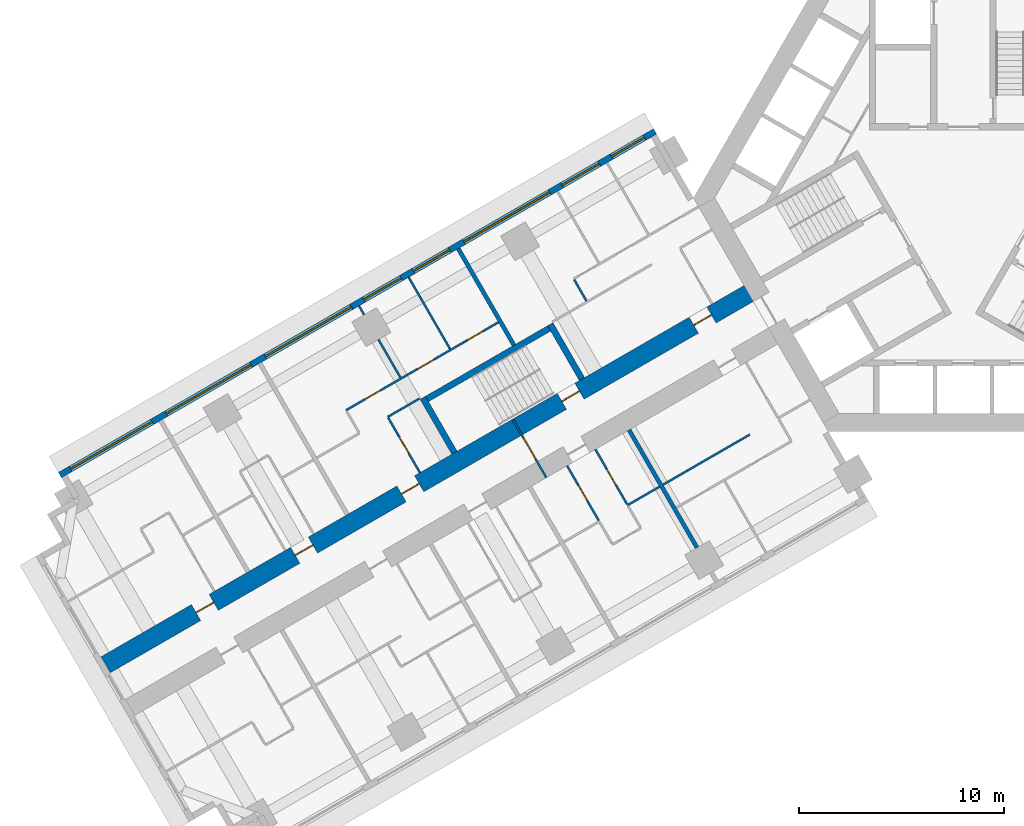
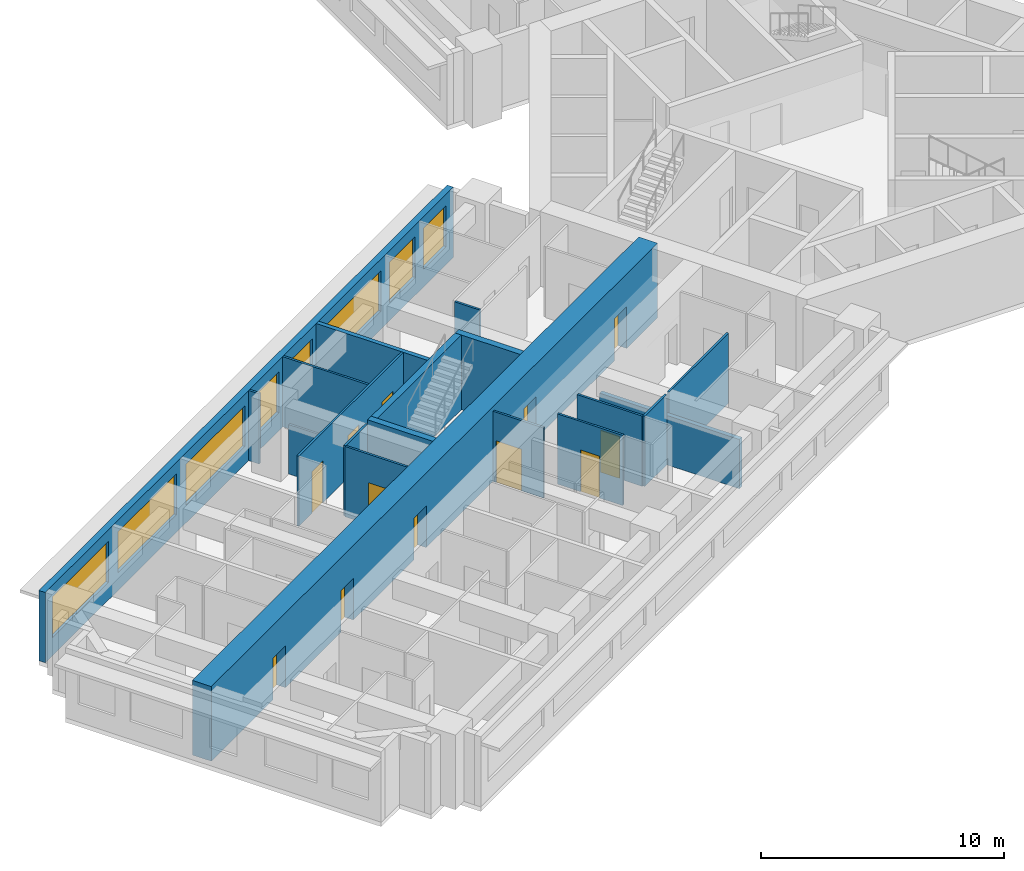
# One storey, part 5 of 16: 19 walls, 12 doors, 8 windows, 20 openings.
"""IFC4 building model written with IfcOpenShell, lengths in metres."""

from ifc_helpers import new_model, si_unit, direction, frame, frame_2d, origin, place, context, subcontext, project, spatial, rectangle, extrude, material, layer, layer_set, type_object, element, fill, save


model = new_model("IFC4")

# Units and contexts
model_context = context("Model", 3, precision=1e-05, world=origin(), true_north=direction((0.0, 1.0)))
body_context = subcontext(model_context, "Body", "Model", "MODEL_VIEW")
ifc_project = project(units=[si_unit("LENGTHUNIT", "METRE"), si_unit("AREAUNIT", "SQUARE_METRE"), si_unit("VOLUMEUNIT", "CUBIC_METRE"), si_unit("PLANEANGLEUNIT", "RADIAN"), si_unit("MASSUNIT", "GRAM", prefix="KILO")], contexts=[model_context])

# Site, building, storey
site_placement = place(None, origin())
site = spatial("IfcSite", under=ifc_project, at=site_placement, CompositionType="ELEMENT")
building_placement = place(site_placement, origin())
building = spatial("IfcBuilding", under=site, at=building_placement, Name="Impinga Residences", CompositionType="ELEMENT")
storey_placement = place(building_placement, frame((0.0, 0.0, 63.5)))
storey = spatial("IfcBuildingStorey", under=building, at=storey_placement, Name="L15", CompositionType="ELEMENT", Elevation=63.5)

# Wall, openings, doors
ifc_material_1 = material(Name="Concrete C70/85", Category="concrete")
ifc_layer_1 = layer(ifc_material_1, 0.89990234375)
ifc_layer_set_1 = layer_set([ifc_layer_1], Name="Concrete C70/85")
wall_type_1 = type_object("IfcWallType", Name="BW1 corridor buttress wall, L05 to L22 900", PredefinedType="SHEAR", material=ifc_layer_set_1)
wall_1_placement = place(storey_placement, frame((-10.1103515625, -4.451416015625, 0.0), z_axis=(0.0, 0.0, 1.0), x_axis=(-0.866025284237, -0.500000207062, 0.0)))
wall_1 = element("IfcWall", 1, at=wall_1_placement, inside=storey, type_object=wall_type_1, Name="Corridor wall BW1 WD L15", PredefinedType="SHEAR", context=body_context, shape_type="SweptSolid", body=[
    extrude(rectangle(XDim=36.75, YDim=0.89990234375, at=frame_2d((18.375, 0.0))), origin(), (0.0, 0.0, 1.0), 3.75),
])
opening_1_placement = place(wall_1_placement, frame((10.0, 0.0, 0.0)))
opening_1 = element("IfcOpeningElement", 2, at=opening_1_placement, cuts=wall_1, Name="Opening D5", PredefinedType="OPENING", context=body_context, shape_type="SweptSolid", body=[
    extrude(rectangle(XDim=1.0, YDim=2.10009765625, at=frame_2d((0.5, 1.050048828125))), frame((0.0, 0.4599609375, 0.0), z_axis=(0.0, -1.0, 0.0), x_axis=(1.0, 0.0, 0.0)), (0.0, 0.0, 1.0), 0.919921875),
])
opening_2_placement = place(wall_1_placement, frame((2.550048828125, 0.0, 0.0)))
opening_2 = element("IfcOpeningElement", 3, at=opening_2_placement, cuts=wall_1, Name="Opening D1", PredefinedType="OPENING", context=body_context, shape_type="SweptSolid", body=[
    extrude(rectangle(XDim=1.0, YDim=2.10009765625, at=frame_2d((0.5, 1.050048828125))), frame((0.0, 0.4599609375, 0.0), z_axis=(0.0, -1.0, 0.0), x_axis=(1.0, 0.0, 0.0)), (0.0, 0.0, 1.0), 0.919921875),
])
opening_3_placement = place(wall_1_placement, frame((19.050048828125, 0.0, 0.0)))
opening_3 = element("IfcOpeningElement", 4, at=opening_3_placement, cuts=wall_1, Name="Opening D1", PredefinedType="OPENING", context=body_context, shape_type="SweptSolid", body=[
    extrude(rectangle(XDim=1.0, YDim=2.10009765625, at=frame_2d((0.5, 1.050048828125))), frame((0.0, 0.4599609375, 0.0), z_axis=(0.0, -1.0, 0.0), x_axis=(1.0, 0.0, 0.0)), (0.0, 0.0, 1.0), 0.919921875),
])
opening_4_placement = place(wall_1_placement, frame((25.050048828125, 0.0, 0.0)))
opening_4 = element("IfcOpeningElement", 5, at=opening_4_placement, cuts=wall_1, Name="Opening D1", PredefinedType="OPENING", context=body_context, shape_type="SweptSolid", body=[
    extrude(rectangle(XDim=1.0, YDim=2.10009765625, at=frame_2d((0.5, 1.050048828125))), frame((0.0, 0.4599609375, 0.0), z_axis=(0.0, -1.0, 0.0), x_axis=(1.0, 0.0, 0.0)), (0.0, 0.0, 1.0), 0.919921875),
])
opening_5_placement = place(wall_1_placement, frame((30.64990234375, 0.0, 0.0)))
opening_5 = element("IfcOpeningElement", 6, at=opening_5_placement, cuts=wall_1, Name="Opening D1", PredefinedType="OPENING", context=body_context, shape_type="SweptSolid", body=[
    extrude(rectangle(XDim=1.0, YDim=2.10009765625, at=frame_2d((0.5, 1.050048828125))), frame((0.0, 0.4599609375, 0.0), z_axis=(0.0, -1.0, 0.0), x_axis=(1.0, 0.0, 0.0)), (0.0, 0.0, 1.0), 0.919921875),
])
ifc_material_2 = material(Name="Timber door set", Category="wood")
door_type_1 = type_object("IfcDoorType", Name="D1 apartment entrance door 1000x2100", OperationType="SINGLE_SWING_LEFT", PredefinedType="DOOR", material=ifc_material_2)
door_1_placement = place(opening_2_placement, origin())
door_1 = element("IfcDoor", 7, at=door_1_placement, inside=storey, type_object=door_type_1, Name="Apartment L15-WF1 entrance", OperationType="SINGLE_SWING_LEFT", OverallHeight=2.10009765625, OverallWidth=1.0, PredefinedType="DOOR", context=body_context, shape_type="SweptSolid", body=[
    extrude(rectangle(XDim=1.0, YDim=2.10009765625, at=frame_2d((0.5, 1.050048828125))), frame((0.0, 0.02490234375, 0.0), z_axis=(0.0, -1.0, 0.0), x_axis=(1.0, 0.0, 0.0)), (0.0, 0.0, 1.0), 0.050048828125),
])
fill(opening_2, door_1)
door_2_placement = place(opening_3_placement, origin())
door_2 = element("IfcDoor", 8, at=door_2_placement, inside=storey, type_object=door_type_1, Name="Apartment L15-WF2 entrance", OperationType="SINGLE_SWING_RIGHT", OverallHeight=2.10009765625, OverallWidth=1.0, PredefinedType="DOOR", context=body_context, shape_type="SweptSolid", body=[
    extrude(rectangle(XDim=1.0, YDim=2.10009765625, at=frame_2d((0.5, 1.050048828125))), frame((0.0, 0.02490234375, 0.0), z_axis=(0.0, -1.0, 0.0), x_axis=(1.0, 0.0, 0.0)), (0.0, 0.0, 1.0), 0.050048828125),
])
fill(opening_3, door_2)
door_3_placement = place(opening_4_placement, origin())
door_3 = element("IfcDoor", 9, at=door_3_placement, inside=storey, type_object=door_type_1, Name="Apartment L15-WF3 entrance", OperationType="SINGLE_SWING_RIGHT", OverallHeight=2.10009765625, OverallWidth=1.0, PredefinedType="DOOR", context=body_context, shape_type="SweptSolid", body=[
    extrude(rectangle(XDim=1.0, YDim=2.10009765625, at=frame_2d((0.5, 1.050048828125))), frame((0.0, 0.02490234375, 0.0), z_axis=(0.0, -1.0, 0.0), x_axis=(1.0, 0.0, 0.0)), (0.0, 0.0, 1.0), 0.050048828125),
])
fill(opening_4, door_3)
door_4_placement = place(opening_5_placement, origin())
door_4 = element("IfcDoor", 10, at=door_4_placement, inside=storey, type_object=door_type_1, Name="Apartment L15-WF4 entrance", OperationType="SINGLE_SWING_RIGHT", OverallHeight=2.10009765625, OverallWidth=1.0, PredefinedType="DOOR", context=body_context, shape_type="SweptSolid", body=[
    extrude(rectangle(XDim=1.0, YDim=2.10009765625, at=frame_2d((0.5, 1.050048828125))), frame((0.0, 0.02490234375, 0.0), z_axis=(0.0, -1.0, 0.0), x_axis=(1.0, 0.0, 0.0)), (0.0, 0.0, 1.0), 0.050048828125),
])
fill(opening_5, door_4)
door_type_2 = type_object("IfcDoorType", Name="D5 stair door 1000x2100", OperationType="SINGLE_SWING_LEFT", PredefinedType="DOOR", material=ifc_material_2)
door_5_placement = place(opening_1_placement, origin())
door_5 = element("IfcDoor", 11, at=door_5_placement, inside=storey, type_object=door_type_2, Name="Wing stair door W", OperationType="SINGLE_SWING_LEFT", OverallHeight=2.10009765625, OverallWidth=1.0, PredefinedType="DOOR", context=body_context, shape_type="SweptSolid", body=[
    extrude(rectangle(XDim=1.0, YDim=2.10009765625, at=frame_2d((0.5, 1.050048828125))), frame((0.0, 0.02490234375, 0.0), z_axis=(0.0, -1.0, 0.0), x_axis=(1.0, 0.0, 0.0)), (0.0, 0.0, 1.0), 0.050048828125),
])
fill(opening_1, door_5)

# Wall, opening, door
ifc_material_3 = material(Name="Concrete blockwork", Category="masonry")
ifc_layer_2 = layer(ifc_material_3, 0.10009765625)
ifc_layer_set_2 = layer_set([ifc_layer_2], Name="CP1 core room partition, blockwork 100")
wall_type_2 = type_object("IfcWallType", Name="CP1 core room partition, blockwork 100", PredefinedType="PARTITIONING", material=ifc_layer_set_2)
wall_2_placement = place(storey_placement, frame((-20.392578125, -13.678955078125, 0.0), z_axis=(0.0, 0.0, 1.0), x_axis=(-0.50002983664, 0.866008176907, 0.0)))
wall_2 = element("IfcWall", 12, at=wall_2_placement, inside=storey, type_object=wall_type_2, Name="Core room partition, blockwork L15:W:SCR", PredefinedType="PARTITIONING", context=body_context, shape_type="SweptSolid", body=[
    extrude(rectangle(XDim=3.300048828125, YDim=0.10009765625, at=frame_2d((1.64990234375, 0.0))), origin(), (0.0, 0.0, 1.0), 3.530029296875),
])
opening_6_placement = place(wall_2_placement, frame((1.050048828125, 0.0, 0.0)))
opening_6 = element("IfcOpeningElement", 13, at=opening_6_placement, cuts=wall_2, Name="Opening D3", PredefinedType="OPENING", context=body_context, shape_type="SweptSolid", body=[
    extrude(rectangle(XDim=1.199951171875, YDim=2.10009765625, at=frame_2d((0.60009765625, 1.050048828125))), frame((0.0, 0.06005859375, 0.0), z_axis=(0.0, -1.0, 0.0), x_axis=(1.0, 0.0, 0.0)), (0.0, 0.0, 1.0), 0.1201171875),
])
door_type_3 = type_object("IfcDoorType", Name="D3 room door, leaf and a half 1200x2100", OperationType="DOUBLE_SWING_LEFT", PredefinedType="DOOR", material=ifc_material_2)
door_6_placement = place(opening_6_placement, origin())
door_6 = element("IfcDoor", 14, at=door_6_placement, inside=storey, type_object=door_type_3, Name="Corridor smoke door W", OperationType="DOUBLE_SWING_LEFT", OverallHeight=2.10009765625, OverallWidth=1.199951171875, PredefinedType="DOOR", context=body_context, shape_type="SweptSolid", body=[
    extrude(rectangle(XDim=1.199951171875, YDim=2.10009765625, at=frame_2d((0.60009765625, 1.050048828125))), frame((0.0, 0.02490234375, 0.0), z_axis=(0.0, -1.0, 0.0), x_axis=(1.0, 0.0, 0.0)), (0.0, 0.0, 1.0), 0.050048828125),
])
fill(opening_6, door_6)

# Wall, openings, windows
ifc_material_4 = material(Name="Terracotta rainscreen on blockwork", Category="masonry")
ifc_layer_3 = layer(ifc_material_4, 0.300048828125)
ifc_layer_set_3 = layer_set([ifc_layer_3], Name="EW1 external wall, terracotta rainscreen on blockwork 300")
wall_type_3 = type_object("IfcWallType", Name="EW1 external wall, terracotta rainscreen on blockwork 300", PredefinedType="SOLIDWALL", material=ifc_layer_set_3)
wall_3_placement = place(storey_placement, frame((-44.17333984375, -13.552490234375, 0.0), z_axis=(0.0, 0.0, 1.0), x_axis=(0.866024291668, 0.500001926238, 0.0)))
wall_3 = element("IfcWall", 15, at=wall_3_placement, inside=storey, type_object=wall_type_3, Name="External wall EW1 L15", PredefinedType="SOLIDWALL", context=body_context, shape_type="SweptSolid", body=[
    extrude(rectangle(XDim=33.599853515625, YDim=0.300048828125, at=frame_2d((16.7998046875, 0.0))), origin(), (0.0, 0.0, 1.0), 3.530029296875),
])
opening_7_placement = place(wall_3_placement, frame((0.60009765625, 0.0, 0.89990234375)))
opening_7 = element("IfcOpeningElement", 16, at=opening_7_placement, cuts=wall_3, Name="Opening W3", PredefinedType="OPENING", context=body_context, shape_type="SweptSolid", body=[
    extrude(rectangle(XDim=4.60009765625, YDim=2.050048828125, at=frame_2d((2.300048828125, 1.02490234375))), frame((0.0, 0.159912109375, 0.0), z_axis=(0.0, -1.0, 0.0), x_axis=(1.0, 0.0, 0.0)), (0.0, 0.0, 1.0), 0.320068359375),
])
opening_8_placement = place(wall_3_placement, frame((6.0, 0.0, 0.89990234375)))
opening_8 = element("IfcOpeningElement", 17, at=opening_8_placement, cuts=wall_3, Name="Opening W8", PredefinedType="OPENING", context=body_context, shape_type="SweptSolid", body=[
    extrude(rectangle(XDim=4.800048828125, YDim=2.050048828125, at=frame_2d((2.39990234375, 1.02490234375))), frame((0.0, 0.159912109375, 0.0), z_axis=(0.0, -1.0, 0.0), x_axis=(1.0, 0.0, 0.0)), (0.0, 0.0, 1.0), 0.320068359375),
])
opening_9_placement = place(wall_3_placement, frame((11.60009765625, 0.0, 0.89990234375)))
opening_9 = element("IfcOpeningElement", 18, at=opening_9_placement, cuts=wall_3, Name="Opening W6", PredefinedType="OPENING", context=body_context, shape_type="SweptSolid", body=[
    extrude(rectangle(XDim=4.85009765625, YDim=2.050048828125, at=frame_2d((2.425048828125, 1.02490234375))), frame((0.0, 0.159912109375, 0.0), z_axis=(0.0, -1.0, 0.0), x_axis=(1.0, 0.0, 0.0)), (0.0, 0.0, 1.0), 0.320068359375),
])
opening_10_placement = place(wall_3_placement, frame((17.14990234375, 0.0, 0.89990234375)))
opening_10 = element("IfcOpeningElement", 19, at=opening_10_placement, cuts=wall_3, Name="Opening W9", PredefinedType="OPENING", context=body_context, shape_type="SweptSolid", body=[
    extrude(rectangle(XDim=2.10009765625, YDim=2.050048828125, at=frame_2d((1.050048828125, 1.02490234375))), frame((0.0, 0.159912109375, 0.0), z_axis=(0.0, -1.0, 0.0), x_axis=(1.0, 0.0, 0.0)), (0.0, 0.0, 1.0), 0.320068359375),
])
opening_11_placement = place(wall_3_placement, frame((19.949951171875, 0.0, 0.89990234375)))
opening_11 = element("IfcOpeningElement", 20, at=opening_11_placement, cuts=wall_3, Name="Opening W14", PredefinedType="OPENING", context=body_context, shape_type="SweptSolid", body=[
    extrude(rectangle(XDim=2.050048828125, YDim=2.050048828125, at=frame_2d((1.02490234375, 1.02490234375))), frame((0.0, 0.159912109375, 0.0), z_axis=(0.0, -1.0, 0.0), x_axis=(1.0, 0.0, 0.0)), (0.0, 0.0, 1.0), 0.320068359375),
])
opening_12_placement = place(wall_3_placement, frame((22.800048828125, 0.0, 0.89990234375)))
opening_12 = element("IfcOpeningElement", 21, at=opening_12_placement, cuts=wall_3, Name="Opening W6", PredefinedType="OPENING", context=body_context, shape_type="SweptSolid", body=[
    extrude(rectangle(XDim=4.85009765625, YDim=2.050048828125, at=frame_2d((2.425048828125, 1.02490234375))), frame((0.0, 0.159912109375, 0.0), z_axis=(0.0, -1.0, 0.0), x_axis=(1.0, 0.0, 0.0)), (0.0, 0.0, 1.0), 0.320068359375),
])
opening_13_placement = place(wall_3_placement, frame((28.35009765625, 0.0, 0.89990234375)))
opening_13 = element("IfcOpeningElement", 22, at=opening_13_placement, cuts=wall_3, Name="Opening W9", PredefinedType="OPENING", context=body_context, shape_type="SweptSolid", body=[
    extrude(rectangle(XDim=2.10009765625, YDim=2.050048828125, at=frame_2d((1.050048828125, 1.02490234375))), frame((0.0, 0.159912109375, 0.0), z_axis=(0.0, -1.0, 0.0), x_axis=(1.0, 0.0, 0.0)), (0.0, 0.0, 1.0), 0.320068359375),
])
opening_14_placement = place(wall_3_placement, frame((31.14990234375, 0.0, 0.89990234375)))
opening_14 = element("IfcOpeningElement", 23, at=opening_14_placement, cuts=wall_3, Name="Opening W15", PredefinedType="OPENING", context=body_context, shape_type="SweptSolid", body=[
    extrude(rectangle(XDim=1.85009765625, YDim=2.050048828125, at=frame_2d((0.925048828125, 1.02490234375))), frame((0.0, 0.159912109375, 0.0), z_axis=(0.0, -1.0, 0.0), x_axis=(1.0, 0.0, 0.0)), (0.0, 0.0, 1.0), 0.320068359375),
])
ifc_material_5 = material(Name="Aluminium window, clear double glazing", Category="aluminium")
window_type_1 = type_object("IfcWindowType", Name="W14 ribbon window 2050x2050", PartitioningType="SINGLE_PANEL", PredefinedType="WINDOW", material=ifc_material_5)
window_1_placement = place(opening_11_placement, origin())
window_1 = element("IfcWindow", 24, at=window_1_placement, inside=storey, type_object=window_type_1, Name="Window L15", OverallHeight=2.050048828125, OverallWidth=2.050048828125, PartitioningType="SINGLE_PANEL", PredefinedType="WINDOW", context=body_context, shape_type="SweptSolid", body=[
    extrude(rectangle(XDim=2.050048828125, YDim=2.050048828125, at=frame_2d((1.02490234375, 1.02490234375))), frame((0.0, 0.030029296875, 0.0), z_axis=(0.0, -1.0, 0.0), x_axis=(1.0, 0.0, 0.0)), (0.0, 0.0, 1.0), 0.06005859375),
])
fill(opening_11, window_1)
window_type_2 = type_object("IfcWindowType", Name="W15 ribbon window 1850x2050", PartitioningType="SINGLE_PANEL", PredefinedType="WINDOW", material=ifc_material_5)
window_2_placement = place(opening_14_placement, origin())
window_2 = element("IfcWindow", 25, at=window_2_placement, inside=storey, type_object=window_type_2, Name="Window L15", OverallHeight=2.050048828125, OverallWidth=1.85009765625, PartitioningType="SINGLE_PANEL", PredefinedType="WINDOW", context=body_context, shape_type="SweptSolid", body=[
    extrude(rectangle(XDim=1.85009765625, YDim=2.050048828125, at=frame_2d((0.925048828125, 1.02490234375))), frame((0.0, 0.030029296875, 0.0), z_axis=(0.0, -1.0, 0.0), x_axis=(1.0, 0.0, 0.0)), (0.0, 0.0, 1.0), 0.06005859375),
])
fill(opening_14, window_2)
window_type_3 = type_object("IfcWindowType", Name="W3 ribbon window 4600x2050", PartitioningType="SINGLE_PANEL", PredefinedType="WINDOW", material=ifc_material_5)
window_3_placement = place(opening_7_placement, origin())
window_3 = element("IfcWindow", 26, at=window_3_placement, inside=storey, type_object=window_type_3, Name="Window L15", OverallHeight=2.050048828125, OverallWidth=4.60009765625, PartitioningType="SINGLE_PANEL", PredefinedType="WINDOW", context=body_context, shape_type="SweptSolid", body=[
    extrude(rectangle(XDim=4.60009765625, YDim=2.050048828125, at=frame_2d((2.300048828125, 1.02490234375))), frame((0.0, 0.030029296875, 0.0), z_axis=(0.0, -1.0, 0.0), x_axis=(1.0, 0.0, 0.0)), (0.0, 0.0, 1.0), 0.06005859375),
])
fill(opening_7, window_3)
window_type_4 = type_object("IfcWindowType", Name="W6 ribbon window 4850x2050", PartitioningType="SINGLE_PANEL", PredefinedType="WINDOW", material=ifc_material_5)
window_4_placement = place(opening_9_placement, origin())
window_4 = element("IfcWindow", 27, at=window_4_placement, inside=storey, type_object=window_type_4, Name="Window L15", OverallHeight=2.050048828125, OverallWidth=4.85009765625, PartitioningType="SINGLE_PANEL", PredefinedType="WINDOW", context=body_context, shape_type="SweptSolid", body=[
    extrude(rectangle(XDim=4.85009765625, YDim=2.050048828125, at=frame_2d((2.425048828125, 1.02490234375))), frame((0.0, 0.030029296875, 0.0), z_axis=(0.0, -1.0, 0.0), x_axis=(1.0, 0.0, 0.0)), (0.0, 0.0, 1.0), 0.06005859375),
])
fill(opening_9, window_4)
window_5_placement = place(opening_12_placement, origin())
window_5 = element("IfcWindow", 28, at=window_5_placement, inside=storey, type_object=window_type_4, Name="Window L15", OverallHeight=2.050048828125, OverallWidth=4.85009765625, PartitioningType="SINGLE_PANEL", PredefinedType="WINDOW", context=body_context, shape_type="SweptSolid", body=[
    extrude(rectangle(XDim=4.85009765625, YDim=2.050048828125, at=frame_2d((2.425048828125, 1.02490234375))), frame((0.0, 0.030029296875, 0.0), z_axis=(0.0, -1.0, 0.0), x_axis=(1.0, 0.0, 0.0)), (0.0, 0.0, 1.0), 0.06005859375),
])
fill(opening_12, window_5)
window_type_5 = type_object("IfcWindowType", Name="W8 ribbon window 4800x2050", PartitioningType="SINGLE_PANEL", PredefinedType="WINDOW", material=ifc_material_5)
window_6_placement = place(opening_8_placement, origin())
window_6 = element("IfcWindow", 29, at=window_6_placement, inside=storey, type_object=window_type_5, Name="Window L15", OverallHeight=2.050048828125, OverallWidth=4.800048828125, PartitioningType="SINGLE_PANEL", PredefinedType="WINDOW", context=body_context, shape_type="SweptSolid", body=[
    extrude(rectangle(XDim=4.800048828125, YDim=2.050048828125, at=frame_2d((2.39990234375, 1.02490234375))), frame((0.0, 0.030029296875, 0.0), z_axis=(0.0, -1.0, 0.0), x_axis=(1.0, 0.0, 0.0)), (0.0, 0.0, 1.0), 0.06005859375),
])
fill(opening_8, window_6)
window_type_6 = type_object("IfcWindowType", Name="W9 ribbon window 2100x2050", PartitioningType="SINGLE_PANEL", PredefinedType="WINDOW", material=ifc_material_5)
window_7_placement = place(opening_10_placement, origin())
window_7 = element("IfcWindow", 30, at=window_7_placement, inside=storey, type_object=window_type_6, Name="Window L15", OverallHeight=2.050048828125, OverallWidth=2.10009765625, PartitioningType="SINGLE_PANEL", PredefinedType="WINDOW", context=body_context, shape_type="SweptSolid", body=[
    extrude(rectangle(XDim=2.10009765625, YDim=2.050048828125, at=frame_2d((1.050048828125, 1.02490234375))), frame((0.0, 0.030029296875, 0.0), z_axis=(0.0, -1.0, 0.0), x_axis=(1.0, 0.0, 0.0)), (0.0, 0.0, 1.0), 0.06005859375),
])
fill(opening_10, window_7)
window_8_placement = place(opening_13_placement, origin())
window_8 = element("IfcWindow", 31, at=window_8_placement, inside=storey, type_object=window_type_6, Name="Window L15", OverallHeight=2.050048828125, OverallWidth=2.10009765625, PartitioningType="SINGLE_PANEL", PredefinedType="WINDOW", context=body_context, shape_type="SweptSolid", body=[
    extrude(rectangle(XDim=2.10009765625, YDim=2.050048828125, at=frame_2d((1.050048828125, 1.02490234375))), frame((0.0, 0.030029296875, 0.0), z_axis=(0.0, -1.0, 0.0), x_axis=(1.0, 0.0, 0.0)), (0.0, 0.0, 1.0), 0.06005859375),
])
fill(opening_13, window_8)

# Walls
ifc_material_6 = material(Name="Gypsum board on steel studs", Category="steel")
ifc_layer_4 = layer(ifc_material_6, 0.10009765625)
ifc_layer_set_4 = layer_set([ifc_layer_4], Name="Gypsum board on steel studs")
wall_type_4 = type_object("IfcWallType", Name="IP1 partition 100", PredefinedType="PARTITIONING", material=ifc_layer_set_4)
wall_4_placement = place(storey_placement, frame((-10.444580078125, -11.57275390625, 0.0), z_axis=(0.0, 0.0, 1.0), x_axis=(-0.866023786258, -0.500002801628, 0.0)))
element("IfcWall", 32, at=wall_4_placement, inside=storey, type_object=wall_type_4, Name="Partition L15-WA1:DIV1", PredefinedType="PARTITIONING", context=body_context, shape_type="SweptSolid", body=[
    extrude(rectangle(XDim=4.89990234375, YDim=0.10009765625, at=frame_2d((2.449951171875, 0.0))), origin(), (0.0, 0.0, 1.0), 3.530029296875),
])
wall_5_placement = place(storey_placement, frame((-14.861328125, -14.122802734375, 0.0), z_axis=(0.0, 0.0, 1.0), x_axis=(-0.866047807691, -0.499961193289, 0.0)))
element("IfcWall", 33, at=wall_5_placement, inside=storey, type_object=wall_type_4, Name="Partition L15-WA2:DIV0", PredefinedType="PARTITIONING", context=body_context, shape_type="SweptSolid", body=[
    extrude(rectangle(XDim=1.800048828125, YDim=0.10009765625, at=frame_2d((0.89990234375, 0.0))), origin(), (0.0, 0.0, 1.0), 3.530029296875),
])

# Wall, opening, door
wall_6_placement = place(storey_placement, frame((-17.9951171875, -12.294677734375, 0.0), z_axis=(0.0, 0.0, 1.0), x_axis=(0.49999285859, -0.86602952684, 0.0)))
wall_6 = element("IfcWall", 34, at=wall_6_placement, inside=storey, type_object=wall_type_4, Name="Partition L15-WA2:IB1", PredefinedType="PARTITIONING", context=body_context, shape_type="SweptSolid", body=[
    extrude(rectangle(XDim=3.10009765625, YDim=0.10009765625, at=frame_2d((1.550048828125, 0.0))), origin(), (0.0, 0.0, 1.0), 3.530029296875),
])
opening_15_placement = place(wall_6_placement, frame((1.10009765625, 0.0, 0.0)))
opening_15 = element("IfcOpeningElement", 35, at=opening_15_placement, cuts=wall_6, Name="Opening D2", PredefinedType="OPENING", context=body_context, shape_type="SweptSolid", body=[
    extrude(rectangle(XDim=0.89990234375, YDim=2.10009765625, at=frame_2d((0.449951171875, 1.050048828125))), frame((0.0, 0.06005859375, 0.0), z_axis=(0.0, -1.0, 0.0), x_axis=(1.0, 0.0, 0.0)), (0.0, 0.0, 1.0), 0.1201171875),
])
door_type_4 = type_object("IfcDoorType", Name="D2 internal door 900x2100", OperationType="SINGLE_SWING_LEFT", PredefinedType="DOOR", material=ifc_material_2)
door_7_placement = place(opening_15_placement, origin())
door_7 = element("IfcDoor", 36, at=door_7_placement, inside=storey, type_object=door_type_4, Name="Apartment L15-WA2 bathroom door", OperationType="SINGLE_SWING_LEFT", OverallHeight=2.10009765625, OverallWidth=0.89990234375, PredefinedType="DOOR", context=body_context, shape_type="SweptSolid", body=[
    extrude(rectangle(XDim=0.89990234375, YDim=2.10009765625, at=frame_2d((0.449951171875, 1.050048828125))), frame((0.0, 0.02490234375, 0.0), z_axis=(0.0, -1.0, 0.0), x_axis=(1.0, 0.0, 0.0)), (0.0, 0.0, 1.0), 0.050048828125),
])
fill(opening_15, door_7)

wall_7_placement = place(storey_placement, frame((-19.380615234375, -13.0947265625, 0.0), z_axis=(0.0, 0.0, 1.0), x_axis=(0.499967891604, -0.866043940782, 0.0)))
wall_7 = element("IfcWall", 37, at=wall_7_placement, inside=storey, type_object=wall_type_4, Name="Partition L15-WA2:IB2", PredefinedType="PARTITIONING", context=body_context, shape_type="SweptSolid", body=[
    extrude(rectangle(XDim=3.099853515625, YDim=0.10009765625, at=frame_2d((1.5498046875, 0.0))), origin(), (0.0, 0.0, 1.0), 3.530029296875),
])
opening_16_placement = place(wall_7_placement, frame((1.10009765625, 0.0, 0.0)))
opening_16 = element("IfcOpeningElement", 38, at=opening_16_placement, cuts=wall_7, Name="Opening D2", PredefinedType="OPENING", context=body_context, shape_type="SweptSolid", body=[
    extrude(rectangle(XDim=0.89990234375, YDim=2.10009765625, at=frame_2d((0.449951171875, 1.050048828125))), frame((0.0, 0.06005859375, 0.0), z_axis=(0.0, -1.0, 0.0), x_axis=(1.0, 0.0, 0.0)), (0.0, 0.0, 1.0), 0.1201171875),
])
door_8_placement = place(opening_16_placement, origin())
door_8 = element("IfcDoor", 39, at=door_8_placement, inside=storey, type_object=door_type_4, Name="Apartment L15-WA2 WC door", OperationType="SINGLE_SWING_LEFT", OverallHeight=2.10009765625, OverallWidth=0.89990234375, PredefinedType="DOOR", context=body_context, shape_type="SweptSolid", body=[
    extrude(rectangle(XDim=0.89990234375, YDim=2.10009765625, at=frame_2d((0.449951171875, 1.050048828125))), frame((0.0, 0.02490234375, 0.0), z_axis=(0.0, -1.0, 0.0), x_axis=(1.0, 0.0, 0.0)), (0.0, 0.0, 1.0), 0.050048828125),
])
fill(opening_16, door_8)

# Walls
wall_8_placement = place(storey_placement, frame((-18.430419921875, -5.04052734375, 0.0), z_axis=(0.0, 0.0, 1.0), x_axis=(-0.500033551112, 0.866006032174, 0.0)))
element("IfcWall", 40, at=wall_8_placement, inside=storey, type_object=wall_type_4, Name="Partition L15-WF1:SE1", PredefinedType="PARTITIONING", context=body_context, shape_type="SweptSolid", body=[
    extrude(rectangle(XDim=1.2001953125, YDim=0.10009765625, at=frame_2d((0.60009765625, 0.0))), origin(), (0.0, 0.0, 1.0), 3.530029296875),
])
wall_9_placement = place(storey_placement, frame((-26.58935546875, -9.808837890625, 0.0), z_axis=(0.0, 0.0, 1.0), x_axis=(-0.866047807691, -0.499961193289, 0.0)))
element("IfcWall", 41, at=wall_9_placement, inside=storey, type_object=wall_type_4, Name="Partition L15-WF2:DIV0", PredefinedType="PARTITIONING", context=body_context, shape_type="SweptSolid", body=[
    extrude(rectangle(XDim=1.800048828125, YDim=0.10009765625, at=frame_2d((0.89990234375, 0.0))), origin(), (0.0, 0.0, 1.0), 3.530029296875),
])

# Wall, openings, doors
wall_10_placement = place(storey_placement, frame((-22.736083984375, -6.0830078125, 0.0), z_axis=(0.0, 0.0, 1.0), x_axis=(-0.866021068297, -0.500007509209, 0.0)))
wall_10 = element("IfcWall", 42, at=wall_10_placement, inside=storey, type_object=wall_type_4, Name="Partition L15-WF2:STRIP", PredefinedType="PARTITIONING", context=body_context, shape_type="SweptSolid", body=[
    extrude(rectangle(XDim=8.599853515625, YDim=0.10009765625, at=frame_2d((4.2998046875, 0.0))), origin(), (0.0, 0.0, 1.0), 3.530029296875),
])
opening_17_placement = place(wall_10_placement, frame((0.875, 0.0, 0.0)))
opening_17 = element("IfcOpeningElement", 43, at=opening_17_placement, cuts=wall_10, Name="Opening D2", PredefinedType="OPENING", context=body_context, shape_type="SweptSolid", body=[
    extrude(rectangle(XDim=0.89990234375, YDim=2.10009765625, at=frame_2d((0.449951171875, 1.050048828125))), frame((0.0, 0.06005859375, 0.0), z_axis=(0.0, -1.0, 0.0), x_axis=(1.0, 0.0, 0.0)), (0.0, 0.0, 1.0), 0.1201171875),
])
opening_18_placement = place(wall_10_placement, frame((3.64990234375, 0.0, 0.0)))
opening_18 = element("IfcOpeningElement", 44, at=opening_18_placement, cuts=wall_10, Name="Opening D2", PredefinedType="OPENING", context=body_context, shape_type="SweptSolid", body=[
    extrude(rectangle(XDim=0.89990234375, YDim=2.10009765625, at=frame_2d((0.449951171875, 1.050048828125))), frame((0.0, 0.06005859375, 0.0), z_axis=(0.0, -1.0, 0.0), x_axis=(1.0, 0.0, 0.0)), (0.0, 0.0, 1.0), 0.1201171875),
])
opening_19_placement = place(wall_10_placement, frame((6.625, 0.0, 0.0)))
opening_19 = element("IfcOpeningElement", 45, at=opening_19_placement, cuts=wall_10, Name="Opening D2", PredefinedType="OPENING", context=body_context, shape_type="SweptSolid", body=[
    extrude(rectangle(XDim=0.89990234375, YDim=2.10009765625, at=frame_2d((0.449951171875, 1.050048828125))), frame((0.0, 0.06005859375, 0.0), z_axis=(0.0, -1.0, 0.0), x_axis=(1.0, 0.0, 0.0)), (0.0, 0.0, 1.0), 0.1201171875),
])
door_9_placement = place(opening_17_placement, origin())
door_9 = element("IfcDoor", 46, at=door_9_placement, inside=storey, type_object=door_type_4, Name="Apartment L15-WF2 room door", OperationType="SINGLE_SWING_LEFT", OverallHeight=2.10009765625, OverallWidth=0.89990234375, PredefinedType="DOOR", context=body_context, shape_type="SweptSolid", body=[
    extrude(rectangle(XDim=0.89990234375, YDim=2.10009765625, at=frame_2d((0.449951171875, 1.050048828125))), frame((0.0, 0.02490234375, 0.0), z_axis=(0.0, -1.0, 0.0), x_axis=(1.0, 0.0, 0.0)), (0.0, 0.0, 1.0), 0.050048828125),
])
fill(opening_17, door_9)
door_10_placement = place(opening_18_placement, origin())
door_10 = element("IfcDoor", 47, at=door_10_placement, inside=storey, type_object=door_type_4, Name="Apartment L15-WF2 room door", OperationType="SINGLE_SWING_LEFT", OverallHeight=2.10009765625, OverallWidth=0.89990234375, PredefinedType="DOOR", context=body_context, shape_type="SweptSolid", body=[
    extrude(rectangle(XDim=0.89990234375, YDim=2.10009765625, at=frame_2d((0.449951171875, 1.050048828125))), frame((0.0, 0.02490234375, 0.0), z_axis=(0.0, -1.0, 0.0), x_axis=(1.0, 0.0, 0.0)), (0.0, 0.0, 1.0), 0.050048828125),
])
fill(opening_18, door_10)
door_11_placement = place(opening_19_placement, origin())
door_11 = element("IfcDoor", 48, at=door_11_placement, inside=storey, type_object=door_type_4, Name="Apartment L15-WF2 room door", OperationType="SINGLE_SWING_RIGHT", OverallHeight=2.10009765625, OverallWidth=0.89990234375, PredefinedType="DOOR", context=body_context, shape_type="SweptSolid", body=[
    extrude(rectangle(XDim=0.89990234375, YDim=2.10009765625, at=frame_2d((0.449951171875, 1.050048828125))), frame((0.0, 0.02490234375, 0.0), z_axis=(0.0, -1.0, 0.0), x_axis=(1.0, 0.0, 0.0)), (0.0, 0.0, 1.0), 0.050048828125),
])
fill(opening_19, door_11)

# Wall, opening, door
wall_11_placement = place(storey_placement, frame((-26.5732421875, -13.436767578125, 0.0), z_axis=(0.0, 0.0, 1.0), x_axis=(-0.500026960575, 0.86600983753, 0.0)))
wall_11 = element("IfcWall", 49, at=wall_11_placement, inside=storey, type_object=wall_type_4, Name="Partition L15-WF2:IB1", PredefinedType="PARTITIONING", context=body_context, shape_type="SweptSolid", body=[
    extrude(rectangle(XDim=3.099853515625, YDim=0.10009765625, at=frame_2d((1.5498046875, 0.0))), origin(), (0.0, 0.0, 1.0), 3.530029296875),
])
opening_20_placement = place(wall_11_placement, frame((1.10009765625, 0.0, 0.0)))
opening_20 = element("IfcOpeningElement", 50, at=opening_20_placement, cuts=wall_11, Name="Opening D2", PredefinedType="OPENING", context=body_context, shape_type="SweptSolid", body=[
    extrude(rectangle(XDim=0.89990234375, YDim=2.10009765625, at=frame_2d((0.449951171875, 1.050048828125))), frame((0.0, 0.06005859375, 0.0), z_axis=(0.0, -1.0, 0.0), x_axis=(1.0, 0.0, 0.0)), (0.0, 0.0, 1.0), 0.1201171875),
])
door_12_placement = place(opening_20_placement, origin())
door_12 = element("IfcDoor", 51, at=door_12_placement, inside=storey, type_object=door_type_4, Name="Apartment L15-WF2 bathroom door", OperationType="SINGLE_SWING_LEFT", OverallHeight=2.10009765625, OverallWidth=0.89990234375, PredefinedType="DOOR", context=body_context, shape_type="SweptSolid", body=[
    extrude(rectangle(XDim=0.89990234375, YDim=2.10009765625, at=frame_2d((0.449951171875, 1.050048828125))), frame((0.0, 0.02490234375, 0.0), z_axis=(0.0, -1.0, 0.0), x_axis=(1.0, 0.0, 0.0)), (0.0, 0.0, 1.0), 0.050048828125),
])
fill(opening_20, door_12)

# Walls
wall_12_placement = place(storey_placement, frame((-25.099365234375, -7.3896484375, 0.0), z_axis=(0.0, 0.0, 1.0), x_axis=(-0.499990325971, 0.866030989016, 0.0)))
element("IfcWall", 52, at=wall_12_placement, inside=storey, type_object=wall_type_4, Name="Partition L15-WF2:OB1", PredefinedType="PARTITIONING", context=body_context, shape_type="SweptSolid", body=[
    extrude(rectangle(XDim=4.0498046875, YDim=0.10009765625, at=frame_2d((2.02490234375, 0.0))), origin(), (0.0, 0.0, 1.0), 3.530029296875),
])
wall_13_placement = place(storey_placement, frame((-27.524169921875, -8.789794921875, 0.0), z_axis=(0.0, 0.0, 1.0), x_axis=(-0.499961633463, 0.866047553582, 0.0)))
element("IfcWall", 53, at=wall_13_placement, inside=storey, type_object=wall_type_4, Name="Partition L15-WF2:OB2", PredefinedType="PARTITIONING", context=body_context, shape_type="SweptSolid", body=[
    extrude(rectangle(XDim=2.150146484375, YDim=0.10009765625, at=frame_2d((1.0751953125, 0.0))), origin(), (0.0, 0.0, 1.0), 2.47998046875),
])
wall_14_placement = place(storey_placement, frame((-29.29931640625, -5.71533203125, 0.0), z_axis=(0.0, 0.0, 1.0), x_axis=(-0.499919672301, 0.866071776036, 0.0)))
element("IfcWall", 54, at=wall_14_placement, inside=storey, type_object=wall_type_4, Name="Partition L15-WF2:OB2b", PredefinedType="PARTITIONING", context=body_context, shape_type="SweptSolid", body=[
    extrude(rectangle(XDim=0.5, YDim=0.10009765625, at=frame_2d((0.25, 0.0))), origin(), (0.0, 0.0, 1.0), 3.530029296875),
])
ifc_layer_5 = layer(ifc_material_3, 0.199951171875)
ifc_layer_set_5 = layer_set([ifc_layer_5], Name="PW1 party wall between apartments 200")
wall_type_5 = type_object("IfcWallType", Name="PW1 party wall between apartments 200", PredefinedType="SOLIDWALL", material=ifc_layer_set_5)
wall_15_placement = place(storey_placement, frame((-16.349609375, -11.3447265625, 0.0), z_axis=(0.0, 0.0, 1.0), x_axis=(0.49999681972, -0.866027239912, 0.0)))
element("IfcWall", 55, at=wall_15_placement, inside=storey, type_object=wall_type_5, Name="Party wall between apartments L15-WA1:PARTY", PredefinedType="SOLIDWALL", context=body_context, shape_type="SweptSolid", body=[
    extrude(rectangle(XDim=6.64990234375, YDim=0.199951171875, at=frame_2d((3.324951171875, 0.0))), origin(), (0.0, 0.0, 1.0), 2.47998046875),
])
wall_16_placement = place(storey_placement, frame((-21.974365234375, -7.2021484375, 0.0), z_axis=(0.0, 0.0, 1.0), x_axis=(-0.500022328685, 0.866012511928, 0.0)))
element("IfcWall", 56, at=wall_16_placement, inside=storey, type_object=wall_type_5, Name="Party wall between apartments L15-WF1:PARTY", PredefinedType="SOLIDWALL", context=body_context, shape_type="SweptSolid", body=[
    extrude(rectangle(XDim=5.449951171875, YDim=0.199951171875, at=frame_2d((2.72509765625, 0.0))), origin(), (0.0, 0.0, 1.0), 3.530029296875),
])
ifc_material_7 = material(Name="Concrete C60/75", Category="concrete")
ifc_layer_6 = layer(ifc_material_7, 0.300048828125)
ifc_layer_set_6 = layer_set([ifc_layer_6], Name="Concrete C60/75")
wall_type_6 = type_object("IfcWallType", Name="SE1 wing stair enclosure wall 300", PredefinedType="SOLIDWALL", material=ifc_layer_set_6)
wall_17_placement = place(storey_placement, frame((-18.649169921875, -8.86181640625, 0.0), z_axis=(0.0, 0.0, 1.0), x_axis=(-0.500026960575, 0.86600983753, 0.0)))
element("IfcWall", 57, at=wall_17_placement, inside=storey, type_object=wall_type_6, Name="Stair enclosure wall SE1 W END0 L15", PredefinedType="SOLIDWALL", context=body_context, shape_type="SweptSolid", body=[
    extrude(rectangle(XDim=3.099853515625, YDim=0.300048828125, at=frame_2d((1.5498046875, 0.0))), origin(), (0.0, 0.0, 1.0), 3.75),
])
wall_18_placement = place(storey_placement, frame((-24.884521484375, -12.4619140625, 0.0), z_axis=(0.0, 0.0, 1.0), x_axis=(-0.49999285859, 0.86602952684, 0.0)))
element("IfcWall", 58, at=wall_18_placement, inside=storey, type_object=wall_type_6, Name="Stair enclosure wall SE1 W END1 L15", PredefinedType="SOLIDWALL", context=body_context, shape_type="SweptSolid", body=[
    extrude(rectangle(XDim=3.10009765625, YDim=0.300048828125, at=frame_2d((1.550048828125, 0.0))), origin(), (0.0, 0.0, 1.0), 3.75),
])
wall_19_placement = place(storey_placement, frame((-20.254150390625, -6.382080078125, 0.0), z_axis=(0.0, 0.0, 1.0), x_axis=(-0.866020008033, -0.500009345598, 0.0)))
element("IfcWall", 59, at=wall_19_placement, inside=storey, type_object=wall_type_6, Name="Stair enclosure wall SE1 W OUT L15", PredefinedType="SOLIDWALL", context=body_context, shape_type="SweptSolid", body=[
    extrude(rectangle(XDim=6.899658203125, YDim=0.300048828125, at=frame_2d((3.44970703125, 0.0))), origin(), (0.0, 0.0, 1.0), 3.75),
])

save(model, "model.ifc")
